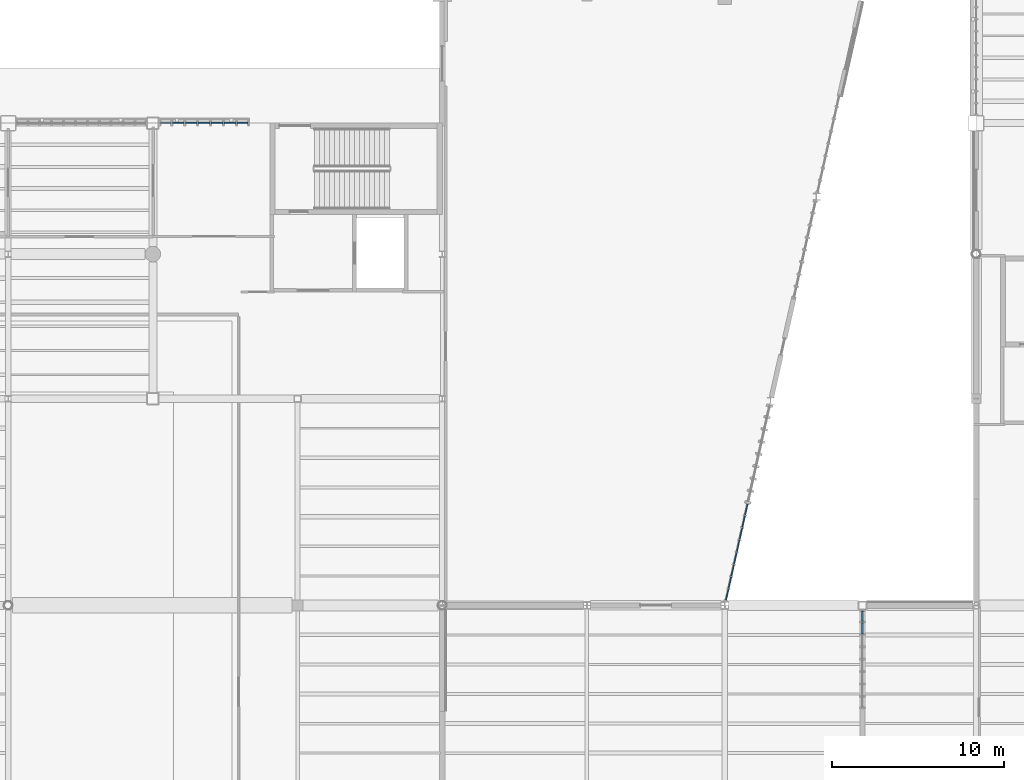
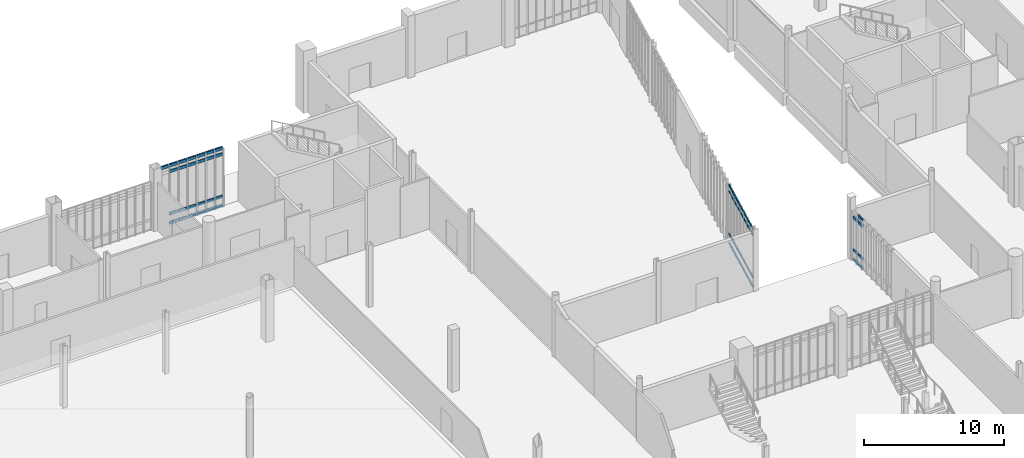
# One storey, part 45 of 111: 64 members, 3 elements without a shape of their own.
"""IFC4 building model written with IfcOpenShell, lengths in metres."""

import ifcopenshell
import ifcopenshell.guid

model = None  # the IFC model being written
_history = None  # IfcOwnerHistory: only IFC2X3 demands one
_inside = {}  # id of a spatial element -> (the spatial element, [elements in it])
_under = {}  # id of a project, library or spatial element -> (it, [spatial elements below it])
_declared = {}  # id of a project -> (the project, [libraries it declares])
_typed = {}  # id of a type object -> (the type object, [elements of that type])
_made_of = {}  # id of a material, layer set ... -> (it, [elements and type objects made of it])


def new_model(schema):
    """Start an empty IFC model of exactly this schema.

    Asked for "IFC4X3", IfcOpenShell would pick the latest addendum, in which some entities
    have other attributes; the version numbers below select the first issue.
    IFC2X3 requires an IfcOwnerHistory on every rooted entity: one is made here for all.
    """
    global model, _history
    if schema == "IFC4X3":
        model = ifcopenshell.file(schema_version=(4, 3, 0, 0))
    else:
        model = ifcopenshell.file(schema=schema)
    _inside.clear()
    _under.clear()
    _declared.clear()
    _typed.clear()
    _made_of.clear()
    _history = None
    if model.schema == "IFC2X3":
        org = make("IfcOrganization", Name="unknown")
        user = make(
            "IfcPersonAndOrganization",
            ThePerson=make("IfcPerson", FamilyName="unknown"),
            TheOrganization=org,
        )
        app = make(
            "IfcApplication",
            ApplicationDeveloper=org,
            Version="unknown",
            ApplicationFullName="unknown",
            ApplicationIdentifier="unknown",
        )
        _history = make(
            "IfcOwnerHistory",
            OwningUser=user,
            OwningApplication=app,
            ChangeAction="ADDED",
            CreationDate=0,
        )
    return model


def make(cls, **values):
    """One entity of the class cls with the attributes given. An attribute that is None is left unset."""
    return model.create_entity(
        cls, **{name: value for name, value in values.items() if value is not None}
    )


def rooted(cls, **values):
    """An entity with a GlobalId (a new one), such as an element, a storey or a relation."""
    return make(cls, GlobalId=ifcopenshell.guid.new(), OwnerHistory=_history, **values)


def si_unit(unit_type, name, prefix=None):
    """IfcSIUnit, for example si_unit("LENGTHUNIT", "METRE", prefix="MILLI")."""
    return make("IfcSIUnit", UnitType=unit_type, Prefix=prefix, Name=name)


def assignment(units):
    """IfcUnitAssignment: the units of a project."""
    return None if units is None else make("IfcUnitAssignment", Units=units)


def point(xyz):
    """IfcCartesianPoint."""
    return None if xyz is None else make("IfcCartesianPoint", Coordinates=xyz)


def direction(xyz):
    """IfcDirection."""
    return None if xyz is None else make("IfcDirection", DirectionRatios=xyz)


def frame(location, z_axis=None, x_axis=None):
    """IfcAxis2Placement3D, a coordinate frame: its origin and axes. An axis left out is left unset."""
    return make(
        "IfcAxis2Placement3D",
        Location=point(location),
        Axis=direction(z_axis),
        RefDirection=direction(x_axis),
    )


def frame_2d(location, x_axis=None):
    """IfcAxis2Placement2D, a coordinate frame in the plane: its origin and x axis."""
    return make(
        "IfcAxis2Placement2D", Location=point(location), RefDirection=direction(x_axis)
    )


def origin():
    """The frame at (0, 0, 0) with its axes left unset."""
    return frame((0.0, 0.0, 0.0))


def origin_2d():
    """The frame at (0, 0) in the plane with its x axis left unset."""
    return frame_2d((0.0, 0.0))


def place(relative_to, where):
    """IfcLocalPlacement: puts the frame where relative to a parent placement (None: the world)."""
    return make(
        "IfcLocalPlacement", PlacementRelTo=relative_to, RelativePlacement=where
    )


def context(
    kind, dimensions, precision=None, world=None, true_north=None, identifier=None
):
    """IfcGeometricRepresentationContext, for example the 3D "Model" context."""
    return make(
        "IfcGeometricRepresentationContext",
        ContextIdentifier=identifier,
        ContextType=kind,
        CoordinateSpaceDimension=dimensions,
        Precision=precision,
        WorldCoordinateSystem=world,
        TrueNorth=true_north,
    )


def subcontext(parent, identifier, kind, view, scale=None):
    """IfcGeometricRepresentationSubContext, for example "Body" below "Model"."""
    return make(
        "IfcGeometricRepresentationSubContext",
        ContextIdentifier=identifier,
        ContextType=kind,
        ParentContext=parent,
        TargetScale=scale,
        TargetView=view,
    )


def project(units=None, contexts=None):
    """IfcProject with its units and contexts."""
    return rooted(
        "IfcProject",
        Name="project",
        RepresentationContexts=contexts,
        UnitsInContext=assignment(units),
    )


def spatial(cls, under=None, at=None, **own):
    """A site, building, storey or space (cls), placed at a placement, below another one or the project."""
    s = rooted(cls, ObjectPlacement=at, **own)
    if under is not None:
        _under.setdefault(under.id(), (under, []))[1].append(s)
    return s


def profile(cls, at=None, kind="AREA", **sizes):
    """A parametric profile (cls). Its sizes go by their IFC names, for example OverallWidth=200.0."""
    return make(cls, ProfileType=kind, Position=at, **sizes)


def rectangle(**sizes):
    """IfcRectangleProfileDef."""
    return profile("IfcRectangleProfileDef", **sizes)


def extrude(swept, where, along, depth):
    """IfcExtrudedAreaSolid: the profile swept, set in the frame where, extruded along a direction by depth."""
    return make(
        "IfcExtrudedAreaSolid",
        SweptArea=swept,
        Position=where,
        ExtrudedDirection=direction(along),
        Depth=depth,
    )


def shape(context_of_items, identifier, shape_type, items):
    """IfcShapeRepresentation: the items that make up one representation, for example the "Body"."""
    return make(
        "IfcShapeRepresentation",
        ContextOfItems=context_of_items,
        RepresentationIdentifier=identifier,
        RepresentationType=shape_type,
        Items=items,
    )


def material(Name=None, Category=None):
    """IfcMaterial."""
    return make("IfcMaterial", Name=Name, Category=Category)


def material_profile(
    of_material, cross_section, Name=None, Category=None, Priority=None
):
    """IfcMaterialProfile: a cross section and its material."""
    return make(
        "IfcMaterialProfile",
        Name=Name,
        Material=of_material,
        Profile=cross_section,
        Priority=Priority,
        Category=Category,
    )


def profile_set(profiles, Name=None, composite=None):
    """IfcMaterialProfileSet."""
    return make(
        "IfcMaterialProfileSet",
        Name=Name,
        MaterialProfiles=profiles,
        CompositeProfile=composite,
    )


def made_of(thing, what):
    """Note that an element or type object is made of a material, layer set ...; save() writes the relation."""
    if what is not None:
        _made_of.setdefault(what.id(), (what, []))[1].append(thing)
    return thing


def type_object(cls, material=None, **own):
    """A type object (cls), such as IfcWallType, which elements share."""
    return made_of(rooted(cls, **own), material)


def element(
    cls,
    number,
    at=None,
    inside=None,
    cuts=None,
    type_object=None,
    material=None,
    context=None,
    identifier="Body",
    shape_type=None,
    held_by="IfcProductDefinitionShape",
    body=None,
    shapes=None,
    **own,
):
    """One element of the class cls, such as IfcWall. Its Tag is "e" and its number.

    at: its placement. inside: the storey or other place that contains it. cuts: it is an
    opening in that element (IfcRelVoidsElement). A single representation is given by context,
    identifier, shape_type and body (its items); several are given by shapes. held_by: the class
    of the entity that holds the representations. save() writes the other relations.
    """
    e = rooted(cls, Tag="e%d" % number, ObjectPlacement=at, **own)
    if body is not None:
        shapes = [shape(context, identifier, shape_type, body)]
    if shapes is not None:
        e.Representation = make(held_by, Representations=shapes)
    if inside is not None:
        _inside.setdefault(inside.id(), (inside, []))[1].append(e)
    if cuts is not None:
        rooted(
            "IfcRelVoidsElement", RelatingBuildingElement=cuts, RelatedOpeningElement=e
        )
    if type_object is not None:
        _typed.setdefault(type_object.id(), (type_object, []))[1].append(e)
    return made_of(e, material)


def aggregate(whole, parts):
    """IfcRelAggregates: a whole, such as a stair, and the parts it consists of."""
    return rooted("IfcRelAggregates", RelatingObject=whole, RelatedObjects=parts)


def save(model, path):
    """Write the relations noted so far, then the file.

    IfcRelAggregates (storeys below a building ...), IfcRelContainedInSpatialStructure (elements
    in a storey), IfcRelDefinesByType, IfcRelAssociatesMaterial and IfcRelDeclares: one each for
    every whole, place, type object, material and project.
    """
    for whole, parts in _under.values():
        aggregate(whole, parts)
    for where, things in _inside.values():
        rooted(
            "IfcRelContainedInSpatialStructure",
            RelatedElements=things,
            RelatingStructure=where,
        )
    for kind, things in _typed.values():
        rooted("IfcRelDefinesByType", RelatedObjects=things, RelatingType=kind)
    for what, things in _made_of.values():
        rooted("IfcRelAssociatesMaterial", RelatedObjects=things, RelatingMaterial=what)
    for by, libraries in _declared.values():
        rooted("IfcRelDeclares", RelatingContext=by, RelatedDefinitions=libraries)
    model.write(path)


model = new_model("IFC4")

# Units and contexts
model_context = context("Model", 3, precision=1e-05, world=origin(), true_north=direction((0.0, 1.0)))
body_context = subcontext(model_context, "Body", "Model", "MODEL_VIEW")
ifc_project = project(units=[si_unit("LENGTHUNIT", "METRE"), si_unit("AREAUNIT", "SQUARE_METRE"), si_unit("VOLUMEUNIT", "CUBIC_METRE"), si_unit("PLANEANGLEUNIT", "RADIAN"), si_unit("MASSUNIT", "GRAM", prefix="KILO")], contexts=[model_context])

# Site, building, storey
site_placement = place(None, origin())
site = spatial("IfcSite", under=ifc_project, at=site_placement, CompositionType="ELEMENT")
building_placement = place(site_placement, origin())
building = spatial("IfcBuilding", under=site, at=building_placement, Name="Larkvane Passage Sports Hall", CompositionType="ELEMENT")
storey_placement = place(building_placement, origin())
storey = spatial("IfcBuildingStorey", under=building, at=storey_placement, Name="L00", CompositionType="ELEMENT", Elevation=0.0)

# Curtain wall, members
ifc_material_1 = material(Name="Thermally broken aluminium and low-E glazing", Category="aluminium")
curtain_wall_type_1 = type_object("IfcCurtainWallType", Name="CW-CLINIC", PredefinedType="USERDEFINED", material=ifc_material_1)
curtain_wall_1_placement = place(storey_placement, origin())
curtain_wall_1 = element("IfcCurtainWall", 1, at=curtain_wall_1_placement, inside=storey, type_object=curtain_wall_type_1, Name="Curtain wall CW5-L00-011", ObjectType="UNITISED CURTAIN WALL", PredefinedType="USERDEFINED")
ifc_material_2 = material(Name="Anodised aluminium 6063-T6", Category="aluminium")
ifc_material_profile_1 = material_profile(ifc_material_2, rectangle(XDim=0.10009765625, YDim=0.260009765625, at=origin_2d()), Name="ALU-TRN-100x260")
ifc_profile_set_1 = profile_set([ifc_material_profile_1], Name="Anodised aluminium 6063-T6")
member_type_1 = type_object("IfcMemberType", Name="CW-TRN-100x260", PredefinedType="USERDEFINED", material=ifc_profile_set_1)
member_1_placement = place(storey_placement, frame((77.24609375, 91.60009765625, 5.050048828125), z_axis=(1.0, 0.0, 0.0), x_axis=(0.0, 1.0, 0.0)))
member_1 = element("IfcMember", 2, at=member_1_placement, type_object=member_type_1, Name="CW-05 transom 1.4", ObjectType="TRANSOM", PredefinedType="USERDEFINED", context=body_context, shape_type="SweptSolid", body=[
    extrude(rectangle(XDim=0.10009765625, YDim=0.260009765625, at=origin_2d()), origin(), (0.0, 0.0, 1.0), 0.6005859375),
])
member_2_placement = place(storey_placement, frame((77.946533203125, 91.60009765625, 0.050048828125), z_axis=(1.0, 0.0, 0.0), x_axis=(0.0, 1.0, 0.0)))
member_2 = element("IfcMember", 3, at=member_2_placement, type_object=member_type_1, Name="CW-05 transom 2.1", ObjectType="TRANSOM", PredefinedType="USERDEFINED", context=body_context, shape_type="SweptSolid", body=[
    extrude(rectangle(XDim=0.10009765625, YDim=0.260009765625, at=origin_2d()), origin(), (0.0, 0.0, 1.0), 0.650634765625),
])
member_3_placement = place(storey_placement, frame((77.946533203125, 91.60009765625, 0.85009765625), z_axis=(1.0, 0.0, 0.0), x_axis=(0.0, 1.0, 0.0)))
member_3 = element("IfcMember", 4, at=member_3_placement, type_object=member_type_1, Name="CW-05 transom 2.2", ObjectType="TRANSOM", PredefinedType="USERDEFINED", context=body_context, shape_type="SweptSolid", body=[
    extrude(rectangle(XDim=0.10009765625, YDim=0.260009765625, at=origin_2d()), origin(), (0.0, 0.0, 1.0), 0.650634765625),
])
member_4_placement = place(storey_placement, frame((77.946533203125, 91.60009765625, 4.550048828125), z_axis=(1.0, 0.0, 0.0), x_axis=(0.0, 1.0, 0.0)))
member_4 = element("IfcMember", 5, at=member_4_placement, type_object=member_type_1, Name="CW-05 transom 2.3", ObjectType="TRANSOM", PredefinedType="USERDEFINED", context=body_context, shape_type="SweptSolid", body=[
    extrude(rectangle(XDim=0.10009765625, YDim=0.260009765625, at=origin_2d()), origin(), (0.0, 0.0, 1.0), 0.650634765625),
])
member_5_placement = place(storey_placement, frame((77.946533203125, 91.60009765625, 5.050048828125), z_axis=(1.0, 0.0, 0.0), x_axis=(0.0, 1.0, 0.0)))
member_5 = element("IfcMember", 6, at=member_5_placement, type_object=member_type_1, Name="CW-05 transom 2.4", ObjectType="TRANSOM", PredefinedType="USERDEFINED", context=body_context, shape_type="SweptSolid", body=[
    extrude(rectangle(XDim=0.10009765625, YDim=0.260009765625, at=origin_2d()), origin(), (0.0, 0.0, 1.0), 0.650634765625),
])
member_6_placement = place(storey_placement, frame((78.697021484375, 91.60009765625, 0.050048828125), z_axis=(1.0, 0.0, 0.0), x_axis=(0.0, 1.0, 0.0)))
member_6 = element("IfcMember", 7, at=member_6_placement, type_object=member_type_1, Name="CW-05 transom 3.1", ObjectType="TRANSOM", PredefinedType="USERDEFINED", context=body_context, shape_type="SweptSolid", body=[
    extrude(rectangle(XDim=0.10009765625, YDim=0.260009765625, at=origin_2d()), origin(), (0.0, 0.0, 1.0), 0.650634765625),
])
member_7_placement = place(storey_placement, frame((78.697021484375, 91.60009765625, 0.85009765625), z_axis=(1.0, 0.0, 0.0), x_axis=(0.0, 1.0, 0.0)))
member_7 = element("IfcMember", 8, at=member_7_placement, type_object=member_type_1, Name="CW-05 transom 3.2", ObjectType="TRANSOM", PredefinedType="USERDEFINED", context=body_context, shape_type="SweptSolid", body=[
    extrude(rectangle(XDim=0.10009765625, YDim=0.260009765625, at=origin_2d()), origin(), (0.0, 0.0, 1.0), 0.650634765625),
])
member_8_placement = place(storey_placement, frame((78.697021484375, 91.60009765625, 4.550048828125), z_axis=(1.0, 0.0, 0.0), x_axis=(0.0, 1.0, 0.0)))
member_8 = element("IfcMember", 9, at=member_8_placement, type_object=member_type_1, Name="CW-05 transom 3.3", ObjectType="TRANSOM", PredefinedType="USERDEFINED", context=body_context, shape_type="SweptSolid", body=[
    extrude(rectangle(XDim=0.10009765625, YDim=0.260009765625, at=origin_2d()), origin(), (0.0, 0.0, 1.0), 0.650634765625),
])
member_9_placement = place(storey_placement, frame((78.697021484375, 91.60009765625, 5.050048828125), z_axis=(1.0, 0.0, 0.0), x_axis=(0.0, 1.0, 0.0)))
member_9 = element("IfcMember", 10, at=member_9_placement, type_object=member_type_1, Name="CW-05 transom 3.4", ObjectType="TRANSOM", PredefinedType="USERDEFINED", context=body_context, shape_type="SweptSolid", body=[
    extrude(rectangle(XDim=0.10009765625, YDim=0.260009765625, at=origin_2d()), origin(), (0.0, 0.0, 1.0), 0.650634765625),
])
member_10_placement = place(storey_placement, frame((79.44775390625, 91.60009765625, 0.050048828125), z_axis=(1.0, 0.0, 0.0), x_axis=(0.0, 1.0, 0.0)))
member_10 = element("IfcMember", 11, at=member_10_placement, type_object=member_type_1, Name="CW-05 transom 4.1", ObjectType="TRANSOM", PredefinedType="USERDEFINED", context=body_context, shape_type="SweptSolid", body=[
    extrude(rectangle(XDim=0.10009765625, YDim=0.260009765625, at=origin_2d()), origin(), (0.0, 0.0, 1.0), 0.650634765625),
])
member_11_placement = place(storey_placement, frame((79.44775390625, 91.60009765625, 0.85009765625), z_axis=(1.0, 0.0, 0.0), x_axis=(0.0, 1.0, 0.0)))
member_11 = element("IfcMember", 12, at=member_11_placement, type_object=member_type_1, Name="CW-05 transom 4.2", ObjectType="TRANSOM", PredefinedType="USERDEFINED", context=body_context, shape_type="SweptSolid", body=[
    extrude(rectangle(XDim=0.10009765625, YDim=0.260009765625, at=origin_2d()), origin(), (0.0, 0.0, 1.0), 0.650634765625),
])
member_12_placement = place(storey_placement, frame((79.44775390625, 91.60009765625, 4.550048828125), z_axis=(1.0, 0.0, 0.0), x_axis=(0.0, 1.0, 0.0)))
member_12 = element("IfcMember", 13, at=member_12_placement, type_object=member_type_1, Name="CW-05 transom 4.3", ObjectType="TRANSOM", PredefinedType="USERDEFINED", context=body_context, shape_type="SweptSolid", body=[
    extrude(rectangle(XDim=0.10009765625, YDim=0.260009765625, at=origin_2d()), origin(), (0.0, 0.0, 1.0), 0.650634765625),
])
member_13_placement = place(storey_placement, frame((79.44775390625, 91.60009765625, 5.050048828125), z_axis=(1.0, 0.0, 0.0), x_axis=(0.0, 1.0, 0.0)))
member_13 = element("IfcMember", 14, at=member_13_placement, type_object=member_type_1, Name="CW-05 transom 4.4", ObjectType="TRANSOM", PredefinedType="USERDEFINED", context=body_context, shape_type="SweptSolid", body=[
    extrude(rectangle(XDim=0.10009765625, YDim=0.260009765625, at=origin_2d()), origin(), (0.0, 0.0, 1.0), 0.650634765625),
])
member_14_placement = place(storey_placement, frame((80.1982421875, 91.60009765625, 0.050048828125), z_axis=(1.0, 0.0, 0.0), x_axis=(0.0, 1.0, 0.0)))
member_14 = element("IfcMember", 15, at=member_14_placement, type_object=member_type_1, Name="CW-05 transom 5.1", ObjectType="TRANSOM", PredefinedType="USERDEFINED", context=body_context, shape_type="SweptSolid", body=[
    extrude(rectangle(XDim=0.10009765625, YDim=0.260009765625, at=origin_2d()), origin(), (0.0, 0.0, 1.0), 0.650634765625),
])
member_15_placement = place(storey_placement, frame((80.1982421875, 91.60009765625, 0.85009765625), z_axis=(1.0, 0.0, 0.0), x_axis=(0.0, 1.0, 0.0)))
member_15 = element("IfcMember", 16, at=member_15_placement, type_object=member_type_1, Name="CW-05 transom 5.2", ObjectType="TRANSOM", PredefinedType="USERDEFINED", context=body_context, shape_type="SweptSolid", body=[
    extrude(rectangle(XDim=0.10009765625, YDim=0.260009765625, at=origin_2d()), origin(), (0.0, 0.0, 1.0), 0.650634765625),
])
member_16_placement = place(storey_placement, frame((80.1982421875, 91.60009765625, 4.550048828125), z_axis=(1.0, 0.0, 0.0), x_axis=(0.0, 1.0, 0.0)))
member_16 = element("IfcMember", 17, at=member_16_placement, type_object=member_type_1, Name="CW-05 transom 5.3", ObjectType="TRANSOM", PredefinedType="USERDEFINED", context=body_context, shape_type="SweptSolid", body=[
    extrude(rectangle(XDim=0.10009765625, YDim=0.260009765625, at=origin_2d()), origin(), (0.0, 0.0, 1.0), 0.650634765625),
])
member_17_placement = place(storey_placement, frame((80.1982421875, 91.60009765625, 5.050048828125), z_axis=(1.0, 0.0, 0.0), x_axis=(0.0, 1.0, 0.0)))
member_17 = element("IfcMember", 18, at=member_17_placement, type_object=member_type_1, Name="CW-05 transom 5.4", ObjectType="TRANSOM", PredefinedType="USERDEFINED", context=body_context, shape_type="SweptSolid", body=[
    extrude(rectangle(XDim=0.10009765625, YDim=0.260009765625, at=origin_2d()), origin(), (0.0, 0.0, 1.0), 0.650634765625),
])
member_18_placement = place(storey_placement, frame((80.948974609375, 91.60009765625, 0.050048828125), z_axis=(1.0, 0.0, 0.0), x_axis=(0.0, 1.0, 0.0)))
member_18 = element("IfcMember", 19, at=member_18_placement, type_object=member_type_1, Name="CW-05 transom 6.1", ObjectType="TRANSOM", PredefinedType="USERDEFINED", context=body_context, shape_type="SweptSolid", body=[
    extrude(rectangle(XDim=0.10009765625, YDim=0.260009765625, at=origin_2d()), origin(), (0.0, 0.0, 1.0), 0.650390625),
])
member_19_placement = place(storey_placement, frame((80.948974609375, 91.60009765625, 0.85009765625), z_axis=(1.0, 0.0, 0.0), x_axis=(0.0, 1.0, 0.0)))
member_19 = element("IfcMember", 20, at=member_19_placement, type_object=member_type_1, Name="CW-05 transom 6.2", ObjectType="TRANSOM", PredefinedType="USERDEFINED", context=body_context, shape_type="SweptSolid", body=[
    extrude(rectangle(XDim=0.10009765625, YDim=0.260009765625, at=origin_2d()), origin(), (0.0, 0.0, 1.0), 0.650390625),
])
member_20_placement = place(storey_placement, frame((80.948974609375, 91.60009765625, 4.550048828125), z_axis=(1.0, 0.0, 0.0), x_axis=(0.0, 1.0, 0.0)))
member_20 = element("IfcMember", 21, at=member_20_placement, type_object=member_type_1, Name="CW-05 transom 6.3", ObjectType="TRANSOM", PredefinedType="USERDEFINED", context=body_context, shape_type="SweptSolid", body=[
    extrude(rectangle(XDim=0.10009765625, YDim=0.260009765625, at=origin_2d()), origin(), (0.0, 0.0, 1.0), 0.650390625),
])
member_21_placement = place(storey_placement, frame((80.948974609375, 91.60009765625, 5.050048828125), z_axis=(1.0, 0.0, 0.0), x_axis=(0.0, 1.0, 0.0)))
member_21 = element("IfcMember", 22, at=member_21_placement, type_object=member_type_1, Name="CW-05 transom 6.4", ObjectType="TRANSOM", PredefinedType="USERDEFINED", context=body_context, shape_type="SweptSolid", body=[
    extrude(rectangle(XDim=0.10009765625, YDim=0.260009765625, at=origin_2d()), origin(), (0.0, 0.0, 1.0), 0.650390625),
])
member_22_placement = place(storey_placement, frame((81.699462890625, 91.60009765625, 0.050048828125), z_axis=(1.0, 0.0, 0.0), x_axis=(0.0, 1.0, 0.0)))
member_22 = element("IfcMember", 23, at=member_22_placement, type_object=member_type_1, Name="CW-05 transom 7.1", ObjectType="TRANSOM", PredefinedType="USERDEFINED", context=body_context, shape_type="SweptSolid", body=[
    extrude(rectangle(XDim=0.10009765625, YDim=0.260009765625, at=origin_2d()), origin(), (0.0, 0.0, 1.0), 0.6005859375),
])
member_23_placement = place(storey_placement, frame((81.699462890625, 91.60009765625, 0.85009765625), z_axis=(1.0, 0.0, 0.0), x_axis=(0.0, 1.0, 0.0)))
member_23 = element("IfcMember", 24, at=member_23_placement, type_object=member_type_1, Name="CW-05 transom 7.2", ObjectType="TRANSOM", PredefinedType="USERDEFINED", context=body_context, shape_type="SweptSolid", body=[
    extrude(rectangle(XDim=0.10009765625, YDim=0.260009765625, at=origin_2d()), origin(), (0.0, 0.0, 1.0), 0.6005859375),
])
member_24_placement = place(storey_placement, frame((81.699462890625, 91.60009765625, 4.550048828125), z_axis=(1.0, 0.0, 0.0), x_axis=(0.0, 1.0, 0.0)))
member_24 = element("IfcMember", 25, at=member_24_placement, type_object=member_type_1, Name="CW-05 transom 7.3", ObjectType="TRANSOM", PredefinedType="USERDEFINED", context=body_context, shape_type="SweptSolid", body=[
    extrude(rectangle(XDim=0.10009765625, YDim=0.260009765625, at=origin_2d()), origin(), (0.0, 0.0, 1.0), 0.6005859375),
])
member_25_placement = place(storey_placement, frame((81.699462890625, 91.60009765625, 5.050048828125), z_axis=(1.0, 0.0, 0.0), x_axis=(0.0, 1.0, 0.0)))
member_25 = element("IfcMember", 26, at=member_25_placement, type_object=member_type_1, Name="CW-05 transom 7.4", ObjectType="TRANSOM", PredefinedType="USERDEFINED", context=body_context, shape_type="SweptSolid", body=[
    extrude(rectangle(XDim=0.10009765625, YDim=0.260009765625, at=origin_2d()), origin(), (0.0, 0.0, 1.0), 0.6005859375),
])
aggregate(curtain_wall_1, [member_1, member_2, member_3, member_4, member_5, member_6, member_7, member_8, member_9, member_10, member_11, member_12, member_13, member_14, member_15, member_16, member_17, member_18, member_19, member_20, member_21, member_22, member_23, member_24, member_25])

curtain_wall_2_placement = place(storey_placement, origin())
curtain_wall_2 = element("IfcCurtainWall", 27, at=curtain_wall_2_placement, inside=storey, type_object=curtain_wall_type_1, Name="Curtain wall CW5-L00-019", ObjectType="UNITISED CURTAIN WALL", PredefinedType="USERDEFINED")
member_26_placement = place(storey_placement, frame((118.0, 61.965576171875, 0.050048828125), z_axis=(0.0, 1.0, 0.0), x_axis=(-1.0, 0.0, 0.0)))
member_26 = element("IfcMember", 28, at=member_26_placement, type_object=member_type_1, Name="CW-05 transom 7.1", ObjectType="TRANSOM", PredefinedType="USERDEFINED", context=body_context, shape_type="SweptSolid", body=[
    extrude(rectangle(XDim=0.10009765625, YDim=0.260009765625, at=origin_2d()), origin(), (0.0, 0.0, 1.0), 0.619140625),
])
member_27_placement = place(storey_placement, frame((118.0, 61.965576171875, 0.85009765625), z_axis=(0.0, 1.0, 0.0), x_axis=(-1.0, 0.0, 0.0)))
member_27 = element("IfcMember", 29, at=member_27_placement, type_object=member_type_1, Name="CW-05 transom 7.2", ObjectType="TRANSOM", PredefinedType="USERDEFINED", context=body_context, shape_type="SweptSolid", body=[
    extrude(rectangle(XDim=0.10009765625, YDim=0.260009765625, at=origin_2d()), origin(), (0.0, 0.0, 1.0), 0.619140625),
])
member_28_placement = place(storey_placement, frame((118.0, 61.965576171875, 3.718017578125), z_axis=(0.0, 1.0, 0.0), x_axis=(-1.0, 0.0, 0.0)))
member_28 = element("IfcMember", 30, at=member_28_placement, type_object=member_type_1, Name="CW-05 transom 7.3", ObjectType="TRANSOM", PredefinedType="USERDEFINED", context=body_context, shape_type="SweptSolid", body=[
    extrude(rectangle(XDim=0.10009765625, YDim=0.260009765625, at=origin_2d()), origin(), (0.0, 0.0, 1.0), 0.619140625),
])
member_29_placement = place(storey_placement, frame((118.0, 61.965576171875, 4.218017578125), z_axis=(0.0, 1.0, 0.0), x_axis=(-1.0, 0.0, 0.0)))
member_29 = element("IfcMember", 31, at=member_29_placement, type_object=member_type_1, Name="CW-05 transom 7.4", ObjectType="TRANSOM", PredefinedType="USERDEFINED", context=body_context, shape_type="SweptSolid", body=[
    extrude(rectangle(XDim=0.10009765625, YDim=0.260009765625, at=origin_2d()), origin(), (0.0, 0.0, 1.0), 0.619140625),
])
member_30_placement = place(storey_placement, frame((118.0, 62.684814453125, 0.050048828125), z_axis=(0.0, 1.0, 0.0), x_axis=(-1.0, 0.0, 0.0)))
member_30 = element("IfcMember", 32, at=member_30_placement, type_object=member_type_1, Name="CW-05 transom 8.1", ObjectType="TRANSOM", PredefinedType="USERDEFINED", context=body_context, shape_type="SweptSolid", body=[
    extrude(rectangle(XDim=0.10009765625, YDim=0.260009765625, at=origin_2d()), origin(), (0.0, 0.0, 1.0), 0.569091796875),
])
member_31_placement = place(storey_placement, frame((118.0, 62.684814453125, 0.85009765625), z_axis=(0.0, 1.0, 0.0), x_axis=(-1.0, 0.0, 0.0)))
member_31 = element("IfcMember", 33, at=member_31_placement, type_object=member_type_1, Name="CW-05 transom 8.2", ObjectType="TRANSOM", PredefinedType="USERDEFINED", context=body_context, shape_type="SweptSolid", body=[
    extrude(rectangle(XDim=0.10009765625, YDim=0.260009765625, at=origin_2d()), origin(), (0.0, 0.0, 1.0), 0.569091796875),
])
member_32_placement = place(storey_placement, frame((118.0, 62.684814453125, 3.718017578125), z_axis=(0.0, 1.0, 0.0), x_axis=(-1.0, 0.0, 0.0)))
member_32 = element("IfcMember", 34, at=member_32_placement, type_object=member_type_1, Name="CW-05 transom 8.3", ObjectType="TRANSOM", PredefinedType="USERDEFINED", context=body_context, shape_type="SweptSolid", body=[
    extrude(rectangle(XDim=0.10009765625, YDim=0.260009765625, at=origin_2d()), origin(), (0.0, 0.0, 1.0), 0.569091796875),
])
aggregate(curtain_wall_2, [member_26, member_27, member_28, member_29, member_30, member_31, member_32])

curtain_wall_type_2 = type_object("IfcCurtainWallType", Name="CW-UNIT-COURT", PredefinedType="USERDEFINED", material=ifc_material_1)
curtain_wall_3_placement = place(storey_placement, origin())
curtain_wall_3 = element("IfcCurtainWall", 35, at=curtain_wall_3_placement, inside=storey, type_object=curtain_wall_type_2, Name="Curtain wall CW5-L00-016", ObjectType="UNITISED CURTAIN WALL", PredefinedType="USERDEFINED")
ifc_material_profile_2 = material_profile(ifc_material_2, rectangle(XDim=0.06494140625, YDim=0.139892578125, at=origin_2d()), Name="ALU-TRN-65x140")
ifc_profile_set_2 = profile_set([ifc_material_profile_2], Name="Anodised aluminium 6063-T6")
member_type_2 = type_object("IfcMemberType", Name="CW-TRN-65x140", PredefinedType="USERDEFINED", material=ifc_profile_set_2)
member_33_placement = place(storey_placement, frame((111.319580078125, 69.471923828125, 0.032470703125), z_axis=(-0.219392287563, -0.975636727557, 0.0), x_axis=(0.975636727557, -0.219392287563, 0.0)))
member_33 = element("IfcMember", 36, at=member_33_placement, type_object=member_type_2, Name="CW-01 transom 1.1", ObjectType="TRANSOM", PredefinedType="USERDEFINED", context=body_context, shape_type="SweptSolid", body=[
    extrude(rectangle(XDim=0.06494140625, YDim=0.139892578125, at=origin_2d()), origin(), (0.0, 0.0, 1.0), 0.6298828125),
])
member_34_placement = place(storey_placement, frame((111.319580078125, 69.471923828125, 0.85009765625), z_axis=(-0.219392287563, -0.975636727557, 0.0), x_axis=(0.975636727557, -0.219392287563, 0.0)))
member_34 = element("IfcMember", 37, at=member_34_placement, type_object=member_type_2, Name="CW-01 transom 1.2", ObjectType="TRANSOM", PredefinedType="USERDEFINED", context=body_context, shape_type="SweptSolid", body=[
    extrude(rectangle(XDim=0.06494140625, YDim=0.139892578125, at=origin_2d()), origin(), (0.0, 0.0, 1.0), 0.6298828125),
])
member_35_placement = place(storey_placement, frame((111.319580078125, 69.471923828125, 4.550048828125), z_axis=(-0.219392287563, -0.975636727557, 0.0), x_axis=(0.975636727557, -0.219392287563, 0.0)))
member_35 = element("IfcMember", 38, at=member_35_placement, type_object=member_type_2, Name="CW-01 transom 1.3", ObjectType="TRANSOM", PredefinedType="USERDEFINED", context=body_context, shape_type="SweptSolid", body=[
    extrude(rectangle(XDim=0.06494140625, YDim=0.139892578125, at=origin_2d()), origin(), (0.0, 0.0, 1.0), 0.6298828125),
])
member_36_placement = place(storey_placement, frame((111.319580078125, 69.471923828125, 5.0673828125), z_axis=(-0.219392287563, -0.975636727557, 0.0), x_axis=(0.975636727557, -0.219392287563, 0.0)))
member_36 = element("IfcMember", 39, at=member_36_placement, type_object=member_type_2, Name="CW-01 transom 1.4", ObjectType="TRANSOM", PredefinedType="USERDEFINED", context=body_context, shape_type="SweptSolid", body=[
    extrude(rectangle(XDim=0.06494140625, YDim=0.139892578125, at=origin_2d()), origin(), (0.0, 0.0, 1.0), 0.6298828125),
])
member_37_placement = place(storey_placement, frame((111.167236328125, 68.7939453125, 0.032470703125), z_axis=(-0.219389359294, -0.975637386035, 0.0), x_axis=(0.975637386035, -0.219389359294, 0.0)))
member_37 = element("IfcMember", 40, at=member_37_placement, type_object=member_type_2, Name="CW-01 transom 2.1", ObjectType="TRANSOM", PredefinedType="USERDEFINED", context=body_context, shape_type="SweptSolid", body=[
    extrude(rectangle(XDim=0.06494140625, YDim=0.139892578125, at=origin_2d()), origin(), (0.0, 0.0, 1.0), 0.662109375),
])
member_38_placement = place(storey_placement, frame((111.167236328125, 68.7939453125, 0.85009765625), z_axis=(-0.219389359294, -0.975637386035, 0.0), x_axis=(0.975637386035, -0.219389359294, 0.0)))
member_38 = element("IfcMember", 41, at=member_38_placement, type_object=member_type_2, Name="CW-01 transom 2.2", ObjectType="TRANSOM", PredefinedType="USERDEFINED", context=body_context, shape_type="SweptSolid", body=[
    extrude(rectangle(XDim=0.06494140625, YDim=0.139892578125, at=origin_2d()), origin(), (0.0, 0.0, 1.0), 0.662109375),
])
member_39_placement = place(storey_placement, frame((111.167236328125, 68.7939453125, 4.550048828125), z_axis=(-0.219389359294, -0.975637386035, 0.0), x_axis=(0.975637386035, -0.219389359294, 0.0)))
member_39 = element("IfcMember", 42, at=member_39_placement, type_object=member_type_2, Name="CW-01 transom 2.3", ObjectType="TRANSOM", PredefinedType="USERDEFINED", context=body_context, shape_type="SweptSolid", body=[
    extrude(rectangle(XDim=0.06494140625, YDim=0.139892578125, at=origin_2d()), origin(), (0.0, 0.0, 1.0), 0.662109375),
])
member_40_placement = place(storey_placement, frame((111.167236328125, 68.7939453125, 5.0673828125), z_axis=(-0.219389359294, -0.975637386035, 0.0), x_axis=(0.975637386035, -0.219389359294, 0.0)))
member_40 = element("IfcMember", 43, at=member_40_placement, type_object=member_type_2, Name="CW-01 transom 2.4", ObjectType="TRANSOM", PredefinedType="USERDEFINED", context=body_context, shape_type="SweptSolid", body=[
    extrude(rectangle(XDim=0.06494140625, YDim=0.139892578125, at=origin_2d()), origin(), (0.0, 0.0, 1.0), 0.662109375),
])
member_41_placement = place(storey_placement, frame((111.0078125, 68.08447265625, 0.032470703125), z_axis=(-0.219310464139, -0.975655123657, 0.0), x_axis=(0.975655123657, -0.219310464139, 0.0)))
member_41 = element("IfcMember", 44, at=member_41_placement, type_object=member_type_2, Name="CW-01 transom 3.1", ObjectType="TRANSOM", PredefinedType="USERDEFINED", context=body_context, shape_type="SweptSolid", body=[
    extrude(rectangle(XDim=0.06494140625, YDim=0.139892578125, at=origin_2d()), origin(), (0.0, 0.0, 1.0), 0.662353515625),
])
member_42_placement = place(storey_placement, frame((111.0078125, 68.08447265625, 0.85009765625), z_axis=(-0.219310464139, -0.975655123657, 0.0), x_axis=(0.975655123657, -0.219310464139, 0.0)))
member_42 = element("IfcMember", 45, at=member_42_placement, type_object=member_type_2, Name="CW-01 transom 3.2", ObjectType="TRANSOM", PredefinedType="USERDEFINED", context=body_context, shape_type="SweptSolid", body=[
    extrude(rectangle(XDim=0.06494140625, YDim=0.139892578125, at=origin_2d()), origin(), (0.0, 0.0, 1.0), 0.662353515625),
])
member_43_placement = place(storey_placement, frame((111.0078125, 68.08447265625, 4.550048828125), z_axis=(-0.219310464139, -0.975655123657, 0.0), x_axis=(0.975655123657, -0.219310464139, 0.0)))
member_43 = element("IfcMember", 46, at=member_43_placement, type_object=member_type_2, Name="CW-01 transom 3.3", ObjectType="TRANSOM", PredefinedType="USERDEFINED", context=body_context, shape_type="SweptSolid", body=[
    extrude(rectangle(XDim=0.06494140625, YDim=0.139892578125, at=origin_2d()), origin(), (0.0, 0.0, 1.0), 0.662353515625),
])
member_44_placement = place(storey_placement, frame((111.0078125, 68.08447265625, 5.0673828125), z_axis=(-0.219310464139, -0.975655123657, 0.0), x_axis=(0.975655123657, -0.219310464139, 0.0)))
member_44 = element("IfcMember", 47, at=member_44_placement, type_object=member_type_2, Name="CW-01 transom 3.4", ObjectType="TRANSOM", PredefinedType="USERDEFINED", context=body_context, shape_type="SweptSolid", body=[
    extrude(rectangle(XDim=0.06494140625, YDim=0.139892578125, at=origin_2d()), origin(), (0.0, 0.0, 1.0), 0.662353515625),
])
member_45_placement = place(storey_placement, frame((110.848388671875, 67.374755859375, 0.032470703125), z_axis=(-0.219389359294, -0.975637386035, 0.0), x_axis=(0.975637386035, -0.219389359294, 0.0)))
member_45 = element("IfcMember", 48, at=member_45_placement, type_object=member_type_2, Name="CW-01 transom 4.1", ObjectType="TRANSOM", PredefinedType="USERDEFINED", context=body_context, shape_type="SweptSolid", body=[
    extrude(rectangle(XDim=0.06494140625, YDim=0.139892578125, at=origin_2d()), origin(), (0.0, 0.0, 1.0), 0.662109375),
])
member_46_placement = place(storey_placement, frame((110.848388671875, 67.374755859375, 0.85009765625), z_axis=(-0.219389359294, -0.975637386035, 0.0), x_axis=(0.975637386035, -0.219389359294, 0.0)))
member_46 = element("IfcMember", 49, at=member_46_placement, type_object=member_type_2, Name="CW-01 transom 4.2", ObjectType="TRANSOM", PredefinedType="USERDEFINED", context=body_context, shape_type="SweptSolid", body=[
    extrude(rectangle(XDim=0.06494140625, YDim=0.139892578125, at=origin_2d()), origin(), (0.0, 0.0, 1.0), 0.662109375),
])
member_47_placement = place(storey_placement, frame((110.848388671875, 67.374755859375, 4.550048828125), z_axis=(-0.219389359294, -0.975637386035, 0.0), x_axis=(0.975637386035, -0.219389359294, 0.0)))
member_47 = element("IfcMember", 50, at=member_47_placement, type_object=member_type_2, Name="CW-01 transom 4.3", ObjectType="TRANSOM", PredefinedType="USERDEFINED", context=body_context, shape_type="SweptSolid", body=[
    extrude(rectangle(XDim=0.06494140625, YDim=0.139892578125, at=origin_2d()), origin(), (0.0, 0.0, 1.0), 0.662109375),
])
member_48_placement = place(storey_placement, frame((110.848388671875, 67.374755859375, 5.0673828125), z_axis=(-0.219389359294, -0.975637386035, 0.0), x_axis=(0.975637386035, -0.219389359294, 0.0)))
member_48 = element("IfcMember", 51, at=member_48_placement, type_object=member_type_2, Name="CW-01 transom 4.4", ObjectType="TRANSOM", PredefinedType="USERDEFINED", context=body_context, shape_type="SweptSolid", body=[
    extrude(rectangle(XDim=0.06494140625, YDim=0.139892578125, at=origin_2d()), origin(), (0.0, 0.0, 1.0), 0.662109375),
])
member_49_placement = place(storey_placement, frame((110.688720703125, 66.665283203125, 0.032470703125), z_axis=(-0.218959560654, -0.97573393443, 0.0), x_axis=(0.97573393443, -0.218959560654, 0.0)))
member_49 = element("IfcMember", 52, at=member_49_placement, type_object=member_type_2, Name="CW-01 transom 5.1", ObjectType="TRANSOM", PredefinedType="USERDEFINED", context=body_context, shape_type="SweptSolid", body=[
    extrude(rectangle(XDim=0.06494140625, YDim=0.139892578125, at=origin_2d()), origin(), (0.0, 0.0, 1.0), 0.662353515625),
])
member_50_placement = place(storey_placement, frame((110.688720703125, 66.665283203125, 0.85009765625), z_axis=(-0.218959560654, -0.97573393443, 0.0), x_axis=(0.97573393443, -0.218959560654, 0.0)))
member_50 = element("IfcMember", 53, at=member_50_placement, type_object=member_type_2, Name="CW-01 transom 5.2", ObjectType="TRANSOM", PredefinedType="USERDEFINED", context=body_context, shape_type="SweptSolid", body=[
    extrude(rectangle(XDim=0.06494140625, YDim=0.139892578125, at=origin_2d()), origin(), (0.0, 0.0, 1.0), 0.662353515625),
])
member_51_placement = place(storey_placement, frame((110.688720703125, 66.665283203125, 4.550048828125), z_axis=(-0.218959560654, -0.97573393443, 0.0), x_axis=(0.97573393443, -0.218959560654, 0.0)))
member_51 = element("IfcMember", 54, at=member_51_placement, type_object=member_type_2, Name="CW-01 transom 5.3", ObjectType="TRANSOM", PredefinedType="USERDEFINED", context=body_context, shape_type="SweptSolid", body=[
    extrude(rectangle(XDim=0.06494140625, YDim=0.139892578125, at=origin_2d()), origin(), (0.0, 0.0, 1.0), 0.662353515625),
])
member_52_placement = place(storey_placement, frame((110.688720703125, 66.665283203125, 5.0673828125), z_axis=(-0.218959560654, -0.97573393443, 0.0), x_axis=(0.97573393443, -0.218959560654, 0.0)))
member_52 = element("IfcMember", 55, at=member_52_placement, type_object=member_type_2, Name="CW-01 transom 5.4", ObjectType="TRANSOM", PredefinedType="USERDEFINED", context=body_context, shape_type="SweptSolid", body=[
    extrude(rectangle(XDim=0.06494140625, YDim=0.139892578125, at=origin_2d()), origin(), (0.0, 0.0, 1.0), 0.662353515625),
])
member_53_placement = place(storey_placement, frame((110.529296875, 65.955810546875, 0.032470703125), z_axis=(-0.219310464139, -0.975655123657, 0.0), x_axis=(0.975655123657, -0.219310464139, 0.0)))
member_53 = element("IfcMember", 56, at=member_53_placement, type_object=member_type_2, Name="CW-01 transom 6.1", ObjectType="TRANSOM", PredefinedType="USERDEFINED", context=body_context, shape_type="SweptSolid", body=[
    extrude(rectangle(XDim=0.06494140625, YDim=0.139892578125, at=origin_2d()), origin(), (0.0, 0.0, 1.0), 0.662353515625),
])
member_54_placement = place(storey_placement, frame((110.529296875, 65.955810546875, 0.85009765625), z_axis=(-0.219310464139, -0.975655123657, 0.0), x_axis=(0.975655123657, -0.219310464139, 0.0)))
member_54 = element("IfcMember", 57, at=member_54_placement, type_object=member_type_2, Name="CW-01 transom 6.2", ObjectType="TRANSOM", PredefinedType="USERDEFINED", context=body_context, shape_type="SweptSolid", body=[
    extrude(rectangle(XDim=0.06494140625, YDim=0.139892578125, at=origin_2d()), origin(), (0.0, 0.0, 1.0), 0.662353515625),
])
member_55_placement = place(storey_placement, frame((110.529296875, 65.955810546875, 4.550048828125), z_axis=(-0.219310464139, -0.975655123657, 0.0), x_axis=(0.975655123657, -0.219310464139, 0.0)))
member_55 = element("IfcMember", 58, at=member_55_placement, type_object=member_type_2, Name="CW-01 transom 6.3", ObjectType="TRANSOM", PredefinedType="USERDEFINED", context=body_context, shape_type="SweptSolid", body=[
    extrude(rectangle(XDim=0.06494140625, YDim=0.139892578125, at=origin_2d()), origin(), (0.0, 0.0, 1.0), 0.662353515625),
])
member_56_placement = place(storey_placement, frame((110.529296875, 65.955810546875, 5.0673828125), z_axis=(-0.219310464139, -0.975655123657, 0.0), x_axis=(0.975655123657, -0.219310464139, 0.0)))
member_56 = element("IfcMember", 59, at=member_56_placement, type_object=member_type_2, Name="CW-01 transom 6.4", ObjectType="TRANSOM", PredefinedType="USERDEFINED", context=body_context, shape_type="SweptSolid", body=[
    extrude(rectangle(XDim=0.06494140625, YDim=0.139892578125, at=origin_2d()), origin(), (0.0, 0.0, 1.0), 0.662353515625),
])
member_57_placement = place(storey_placement, frame((110.369873046875, 65.24609375, 0.032470703125), z_axis=(-0.219389359294, -0.975637386035, 0.0), x_axis=(0.975637386035, -0.219389359294, 0.0)))
member_57 = element("IfcMember", 60, at=member_57_placement, type_object=member_type_2, Name="CW-01 transom 7.1", ObjectType="TRANSOM", PredefinedType="USERDEFINED", context=body_context, shape_type="SweptSolid", body=[
    extrude(rectangle(XDim=0.06494140625, YDim=0.139892578125, at=origin_2d()), origin(), (0.0, 0.0, 1.0), 0.662109375),
])
member_58_placement = place(storey_placement, frame((110.369873046875, 65.24609375, 0.85009765625), z_axis=(-0.219389359294, -0.975637386035, 0.0), x_axis=(0.975637386035, -0.219389359294, 0.0)))
member_58 = element("IfcMember", 61, at=member_58_placement, type_object=member_type_2, Name="CW-01 transom 7.2", ObjectType="TRANSOM", PredefinedType="USERDEFINED", context=body_context, shape_type="SweptSolid", body=[
    extrude(rectangle(XDim=0.06494140625, YDim=0.139892578125, at=origin_2d()), origin(), (0.0, 0.0, 1.0), 0.662109375),
])
member_59_placement = place(storey_placement, frame((110.369873046875, 65.24609375, 4.550048828125), z_axis=(-0.219389359294, -0.975637386035, 0.0), x_axis=(0.975637386035, -0.219389359294, 0.0)))
member_59 = element("IfcMember", 62, at=member_59_placement, type_object=member_type_2, Name="CW-01 transom 7.3", ObjectType="TRANSOM", PredefinedType="USERDEFINED", context=body_context, shape_type="SweptSolid", body=[
    extrude(rectangle(XDim=0.06494140625, YDim=0.139892578125, at=origin_2d()), origin(), (0.0, 0.0, 1.0), 0.662109375),
])
member_60_placement = place(storey_placement, frame((110.369873046875, 65.24609375, 5.0673828125), z_axis=(-0.219389359294, -0.975637386035, 0.0), x_axis=(0.975637386035, -0.219389359294, 0.0)))
member_60 = element("IfcMember", 63, at=member_60_placement, type_object=member_type_2, Name="CW-01 transom 7.4", ObjectType="TRANSOM", PredefinedType="USERDEFINED", context=body_context, shape_type="SweptSolid", body=[
    extrude(rectangle(XDim=0.06494140625, YDim=0.139892578125, at=origin_2d()), origin(), (0.0, 0.0, 1.0), 0.662109375),
])
member_61_placement = place(storey_placement, frame((110.21044921875, 64.53662109375, 0.032470703125), z_axis=(-0.219392287563, -0.975636727557, 0.0), x_axis=(0.975636727557, -0.219392287563, 0.0)))
member_61 = element("IfcMember", 64, at=member_61_placement, type_object=member_type_2, Name="CW-01 transom 8.1", ObjectType="TRANSOM", PredefinedType="USERDEFINED", context=body_context, shape_type="SweptSolid", body=[
    extrude(rectangle(XDim=0.06494140625, YDim=0.139892578125, at=origin_2d()), origin(), (0.0, 0.0, 1.0), 0.6298828125),
])
member_62_placement = place(storey_placement, frame((110.21044921875, 64.53662109375, 0.85009765625), z_axis=(-0.219392287563, -0.975636727557, 0.0), x_axis=(0.975636727557, -0.219392287563, 0.0)))
member_62 = element("IfcMember", 65, at=member_62_placement, type_object=member_type_2, Name="CW-01 transom 8.2", ObjectType="TRANSOM", PredefinedType="USERDEFINED", context=body_context, shape_type="SweptSolid", body=[
    extrude(rectangle(XDim=0.06494140625, YDim=0.139892578125, at=origin_2d()), origin(), (0.0, 0.0, 1.0), 0.6298828125),
])
member_63_placement = place(storey_placement, frame((110.21044921875, 64.53662109375, 4.550048828125), z_axis=(-0.219392287563, -0.975636727557, 0.0), x_axis=(0.975636727557, -0.219392287563, 0.0)))
member_63 = element("IfcMember", 66, at=member_63_placement, type_object=member_type_2, Name="CW-01 transom 8.3", ObjectType="TRANSOM", PredefinedType="USERDEFINED", context=body_context, shape_type="SweptSolid", body=[
    extrude(rectangle(XDim=0.06494140625, YDim=0.139892578125, at=origin_2d()), origin(), (0.0, 0.0, 1.0), 0.6298828125),
])
member_64_placement = place(storey_placement, frame((110.21044921875, 64.53662109375, 5.0673828125), z_axis=(-0.219392287563, -0.975636727557, 0.0), x_axis=(0.975636727557, -0.219392287563, 0.0)))
member_64 = element("IfcMember", 67, at=member_64_placement, type_object=member_type_2, Name="CW-01 transom 8.4", ObjectType="TRANSOM", PredefinedType="USERDEFINED", context=body_context, shape_type="SweptSolid", body=[
    extrude(rectangle(XDim=0.06494140625, YDim=0.139892578125, at=origin_2d()), origin(), (0.0, 0.0, 1.0), 0.6298828125),
])
aggregate(curtain_wall_3, [member_33, member_34, member_35, member_36, member_37, member_38, member_39, member_40, member_41, member_42, member_43, member_44, member_45, member_46, member_47, member_48, member_49, member_50, member_51, member_52, member_53, member_54, member_55, member_56, member_57, member_58, member_59, member_60, member_61, member_62, member_63, member_64])

save(model, "model.ifc")
